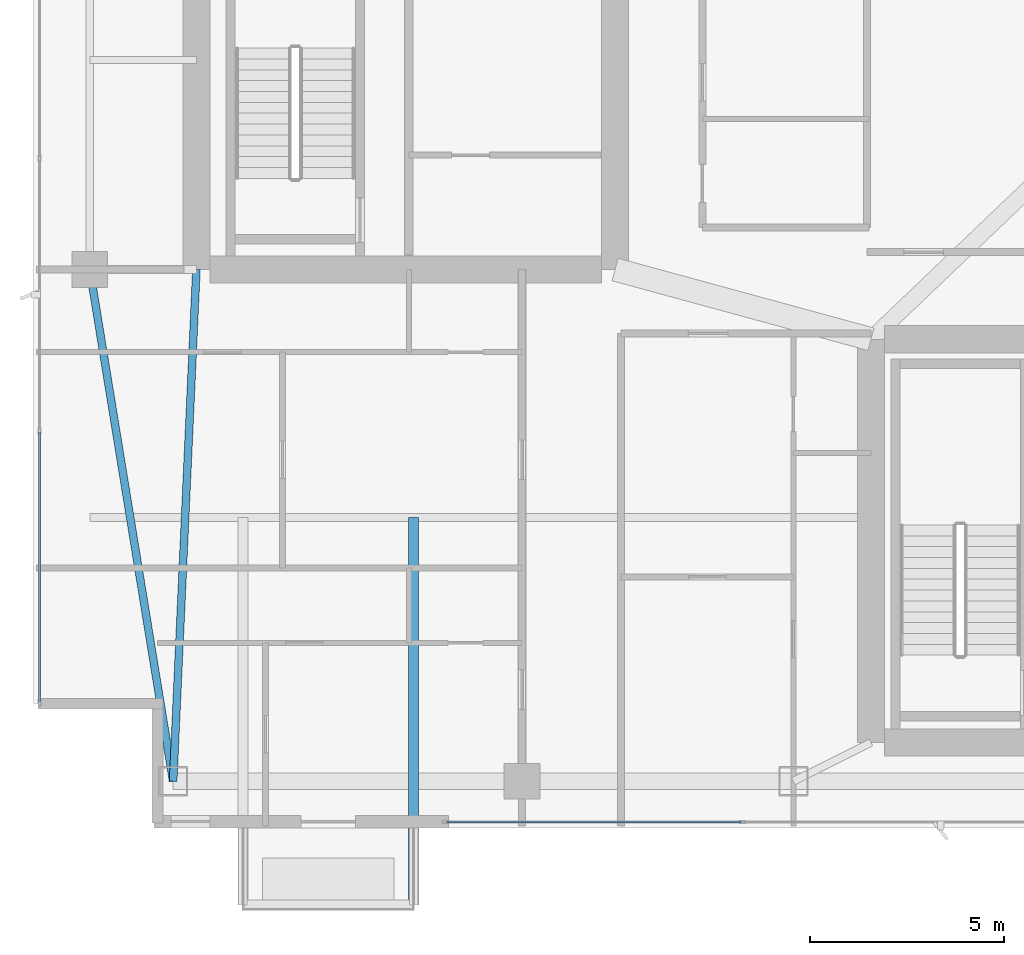
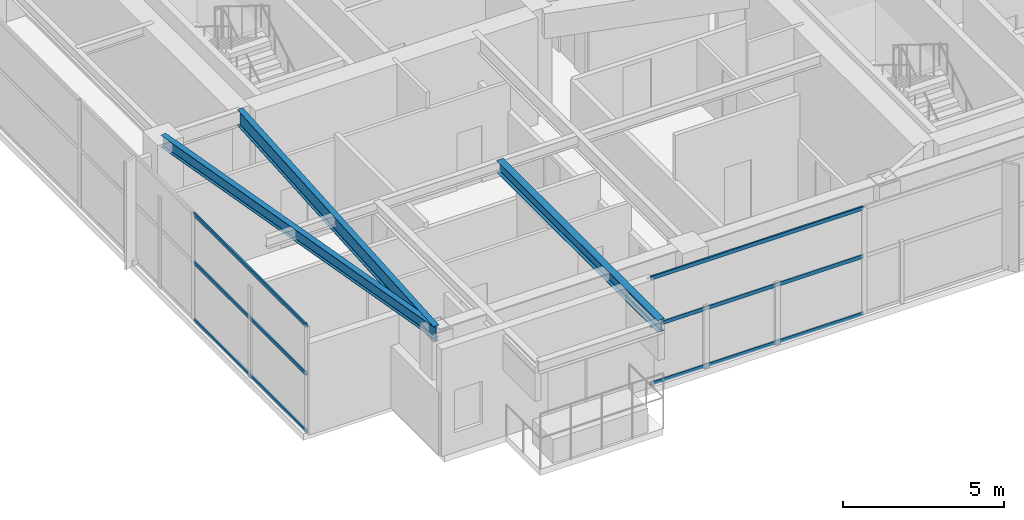
# One storey, part 3 of 29: 6 members, 3 beams, 2 elements without a shape of their own.
"""IFC4 building model written with IfcOpenShell, lengths in metres."""

from ifc_helpers import new_model, si_unit, direction, frame, origin, origin_2d, place, context, subcontext, project, spatial, hollow_rectangle, i_section, extrude, material, layer, layer_set, material_profile, profile_set, type_object, element, aggregate, save


model = new_model("IFC4")

# Units and contexts
model_context = context("Model", 3, precision=1e-05, world=origin(), true_north=direction((0.0, 1.0)))
body_context = subcontext(model_context, "Body", "Model", "MODEL_VIEW")
ifc_project = project(units=[si_unit("LENGTHUNIT", "METRE"), si_unit("AREAUNIT", "SQUARE_METRE"), si_unit("VOLUMEUNIT", "CUBIC_METRE"), si_unit("PLANEANGLEUNIT", "RADIAN"), si_unit("MASSUNIT", "GRAM", prefix="KILO")], contexts=[model_context])

# Site, building, storey
site_placement = place(None, origin())
site = spatial("IfcSite", under=ifc_project, at=site_placement, CompositionType="ELEMENT")
building_placement = place(site_placement, origin())
building = spatial("IfcBuilding", under=site, at=building_placement, Name="Calvorn Quay Hotel", CompositionType="ELEMENT")
storey_placement = place(building_placement, frame((0.0, 0.0, 214.800048828125)))
storey = spatial("IfcBuildingStorey", under=building, at=storey_placement, Name="L53", CompositionType="ELEMENT", Elevation=214.800048828125)

# Beams
ifc_material_1 = material(Name="Steel Q355B", Category="steel")
ifc_material_profile_1 = material_profile(ifc_material_1, i_section(OverallWidth=0.25, OverallDepth=0.449951171875, WebThickness=0.011962890625, FlangeThickness=0.01611328125, FilletRadius=0.01611328125, at=origin_2d()), Name="HN450x250x12x16")
ifc_profile_set_1 = profile_set([ifc_material_profile_1], Name="Steel Q355B")
beam_type_1 = type_object("IfcBeamType", Name="BM-CANT-BALC", PredefinedType="BEAM", material=ifc_profile_set_1)
beam_1_placement = place(storey_placement, frame((9.800048828125, 10.39990234375, 3.824951171875), z_axis=(0.0, -1.0, 0.0), x_axis=(1.0, 0.0, 0.0)))
element("IfcBeam", 1, at=beam_1_placement, inside=storey, type_object=beam_type_1, Name="Cantilever Balcony Beam BCB-L54-1B", PredefinedType="BEAM", context=body_context, shape_type="SweptSolid", body=[
    extrude(i_section(OverallWidth=0.25, OverallDepth=0.449951171875, WebThickness=0.011962890625, FlangeThickness=0.01611328125, FilletRadius=0.01611328125, at=origin_2d()), origin(), (0.0, 0.0, 1.0), 9.989990234375),
])
ifc_material_2 = material(Name="Steel Q355B", Category="steel")
ifc_material_profile_2 = material_profile(ifc_material_2, i_section(OverallWidth=0.199951171875, OverallDepth=0.60009765625, WebThickness=0.010986328125, FlangeThickness=0.01708984375, FilletRadius=0.01806640625, at=origin_2d()), Name="HN600x200x11x17")
ifc_profile_set_2 = profile_set([ifc_material_profile_2], Name="Steel Q355B")
beam_type_2 = type_object("IfcBeamType", Name="BM-GIRD-TYP", PredefinedType="BEAM", material=ifc_profile_set_2)
beam_2_placement = place(storey_placement, frame((3.60009765625, 3.60009765625, 3.75), z_axis=(0.045396765494, 0.998969035397, 0.0), x_axis=(-0.998969035397, 0.045396765494, 0.0)))
element("IfcBeam", 2, at=beam_2_placement, inside=storey, type_object=beam_type_2, Name="Beam BG-L53-W0", PredefinedType="BEAM", context=body_context, shape_type="SweptSolid", body=[
    extrude(i_section(OverallWidth=0.199951171875, OverallDepth=0.60009765625, WebThickness=0.010986328125, FlangeThickness=0.01708984375, FilletRadius=0.01806640625, at=origin_2d()), origin(), (0.0, 0.0, 1.0), 13.213623046875),
])
ifc_material_3 = material(Name="Steel Q355B", Category="steel")
ifc_material_profile_3 = material_profile(ifc_material_3, i_section(OverallWidth=0.199951171875, OverallDepth=0.449951171875, WebThickness=0.009033203125, FlangeThickness=0.013916015625, FilletRadius=0.01611328125, at=origin_2d()), Name="HN450x200x9x14")
ifc_profile_set_3 = profile_set([ifc_material_profile_3], Name="Steel Q355B")
beam_type_3 = type_object("IfcBeamType", Name="BM-SPANDREL-Z3", PredefinedType="SPANDREL", material=ifc_profile_set_3)
beam_3_placement = place(storey_placement, frame((3.60009765625, 3.60009765625, 3.824951171875), z_axis=(-0.16077155054, 0.986991645627, 0.0), x_axis=(-0.986991645627, -0.16077155054, 0.0)))
element("IfcBeam", 3, at=beam_3_placement, inside=storey, type_object=beam_type_3, Name="Beam BSP-L53-W1", PredefinedType="SPANDREL", context=body_context, shape_type="SweptSolid", body=[
    extrude(i_section(OverallWidth=0.199951171875, OverallDepth=0.449951171875, WebThickness=0.009033203125, FlangeThickness=0.013916015625, FilletRadius=0.01611328125, at=origin_2d()), origin(), (0.0, 0.0, 1.0), 13.3740234375),
])

# Curtain wall, members
ifc_material_4 = material(Name="Champagne Bronze Anodised Aluminium and Low-E Glass", Category="aluminium")
ifc_layer = layer(ifc_material_4, 0.219970703125)
ifc_layer_set = layer_set([ifc_layer], Name="CW-SYS-Z3")
curtain_wall_type = type_object("IfcCurtainWallType", Name="CW-SYS-Z3", PredefinedType="NOTDEFINED", material=ifc_layer_set)
curtain_wall_1_placement = place(storey_placement, origin())
curtain_wall_1 = element("IfcCurtainWall", 4, at=curtain_wall_1_placement, inside=storey, type_object=curtain_wall_type, Name="Tower West Curtain Wall (L53)", PredefinedType="NOTDEFINED")
ifc_material_5 = material(Name="Champagne Bronze Anodised Aluminium 6063-T6", Category="aluminium")
ifc_material_profile_4 = material_profile(ifc_material_5, hollow_rectangle(XDim=0.05810546875, YDim=0.139892578125, WallThickness=0.003173828125, at=origin_2d()), Name="ALU-T140x58x3.2")
ifc_profile_set_4 = profile_set([ifc_material_profile_4], Name="Champagne Bronze Anodised Aluminium 6063-T6")
member_type = type_object("IfcMemberType", Name="CW-SYS-Z3-TRN", PredefinedType="USERDEFINED", material=ifc_profile_set_4)
member_1_placement = place(storey_placement, frame((0.14990234375, 5.659912109375, 0.030029296875), z_axis=(0.0, 1.0, 0.0), x_axis=(-1.0, 0.0, 0.0)))
member_1 = element("IfcMember", 5, at=member_1_placement, type_object=member_type, Name="CW-L53-W transom 1.1", ObjectType="TRANSOM", PredefinedType="USERDEFINED", context=body_context, shape_type="SweptSolid", body=[
    extrude(hollow_rectangle(XDim=0.05810546875, YDim=0.139892578125, WallThickness=0.003173828125, at=origin_2d()), origin(), (0.0, 0.0, 1.0), 6.943359375),
])
member_2_placement = place(storey_placement, frame((0.14990234375, 5.659912109375, 2.199951171875), z_axis=(0.0, 1.0, 0.0), x_axis=(-1.0, 0.0, 0.0)))
member_2 = element("IfcMember", 6, at=member_2_placement, type_object=member_type, Name="CW-L53-W transom 1.2", ObjectType="TRANSOM", PredefinedType="USERDEFINED", context=body_context, shape_type="SweptSolid", body=[
    extrude(hollow_rectangle(XDim=0.05810546875, YDim=0.139892578125, WallThickness=0.003173828125, at=origin_2d()), origin(), (0.0, 0.0, 1.0), 6.943359375),
])
member_3_placement = place(storey_placement, frame((0.14990234375, 5.659912109375, 4.02001953125), z_axis=(0.0, 1.0, 0.0), x_axis=(-1.0, 0.0, 0.0)))
member_3 = element("IfcMember", 7, at=member_3_placement, type_object=member_type, Name="CW-L53-W transom 1.3", ObjectType="TRANSOM", PredefinedType="USERDEFINED", context=body_context, shape_type="SweptSolid", body=[
    extrude(hollow_rectangle(XDim=0.05810546875, YDim=0.139892578125, WallThickness=0.003173828125, at=origin_2d()), origin(), (0.0, 0.0, 1.0), 6.943359375),
])
aggregate(curtain_wall_1, [member_1, member_2, member_3])

curtain_wall_2_placement = place(storey_placement, origin())
curtain_wall_2 = element("IfcCurtainWall", 8, at=curtain_wall_2_placement, inside=storey, type_object=curtain_wall_type, Name="Tower South Waterfront Curtain Wall (L53)", PredefinedType="NOTDEFINED")
member_4_placement = place(storey_placement, frame((10.659912109375, 2.550048828125, 0.030029296875), z_axis=(1.0, 0.0, 0.0), x_axis=(0.0, 1.0, 0.0)))
member_4 = element("IfcMember", 9, at=member_4_placement, type_object=member_type, Name="CW-L53-S transom 1.1", ObjectType="TRANSOM", PredefinedType="USERDEFINED", context=body_context, shape_type="SweptSolid", body=[
    extrude(hollow_rectangle(XDim=0.05810546875, YDim=0.139892578125, WallThickness=0.003173828125, at=origin_2d()), origin(), (0.0, 0.0, 1.0), 7.590087890625),
])
member_5_placement = place(storey_placement, frame((10.659912109375, 2.550048828125, 2.199951171875), z_axis=(1.0, 0.0, 0.0), x_axis=(0.0, 1.0, 0.0)))
member_5 = element("IfcMember", 10, at=member_5_placement, type_object=member_type, Name="CW-L53-S transom 1.2", ObjectType="TRANSOM", PredefinedType="USERDEFINED", context=body_context, shape_type="SweptSolid", body=[
    extrude(hollow_rectangle(XDim=0.05810546875, YDim=0.139892578125, WallThickness=0.003173828125, at=origin_2d()), origin(), (0.0, 0.0, 1.0), 7.590087890625),
])
member_6_placement = place(storey_placement, frame((10.659912109375, 2.550048828125, 4.02001953125), z_axis=(1.0, 0.0, 0.0), x_axis=(0.0, 1.0, 0.0)))
member_6 = element("IfcMember", 11, at=member_6_placement, type_object=member_type, Name="CW-L53-S transom 1.3", ObjectType="TRANSOM", PredefinedType="USERDEFINED", context=body_context, shape_type="SweptSolid", body=[
    extrude(hollow_rectangle(XDim=0.05810546875, YDim=0.139892578125, WallThickness=0.003173828125, at=origin_2d()), origin(), (0.0, 0.0, 1.0), 7.590087890625),
])
aggregate(curtain_wall_2, [member_4, member_5, member_6])

save(model, "model.ifc")
